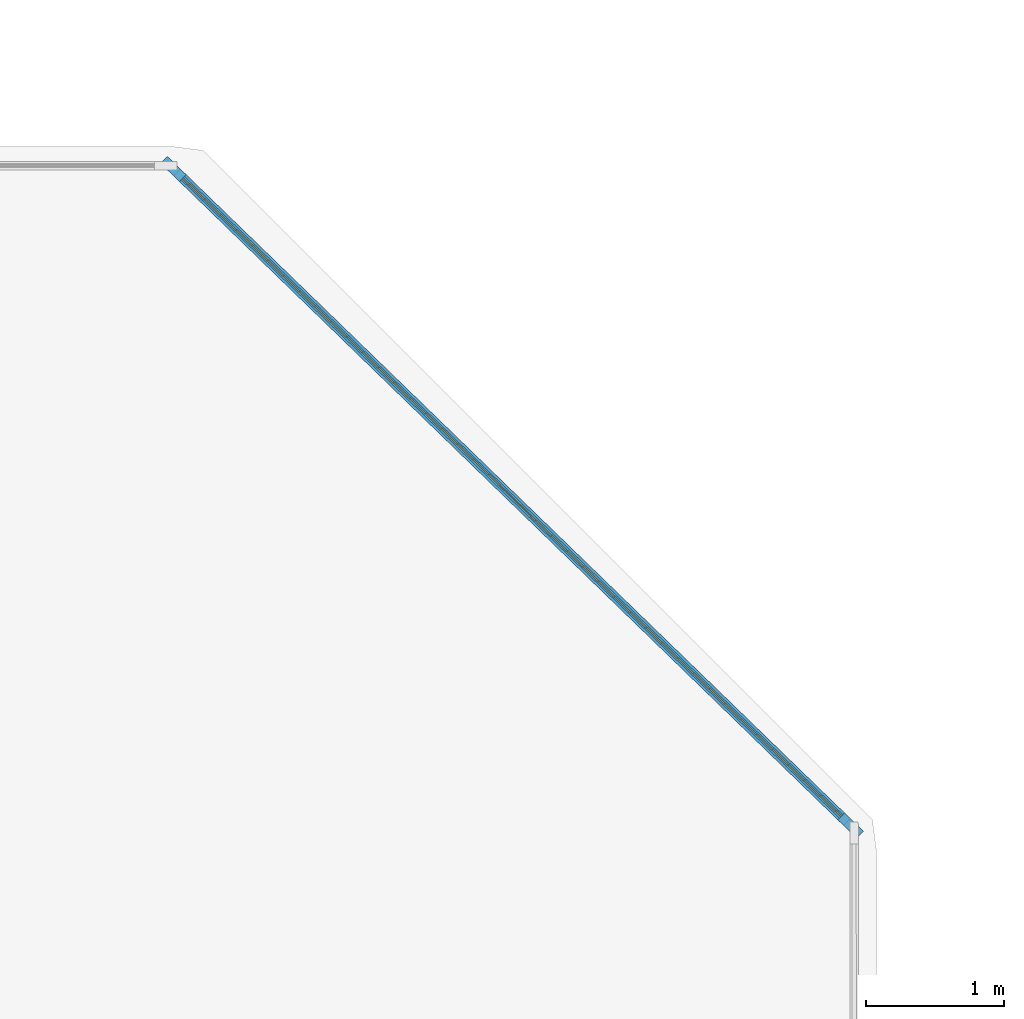
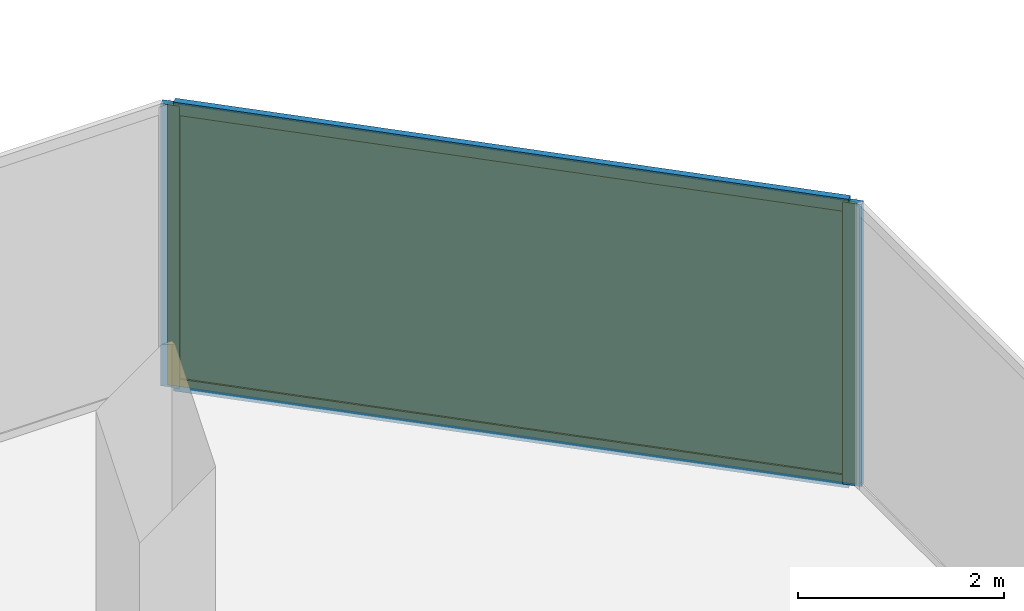
# One storey, part 11 of 14: 4 members, 1 curtain wall, 1 plate.
"""IFC4 building model written with IfcOpenShell, lengths in metres."""

import ifcopenshell
import ifcopenshell.guid

model = None  # the IFC model being written
_history = None  # IfcOwnerHistory: only IFC2X3 demands one
_inside = {}  # id of a spatial element -> (the spatial element, [elements in it])
_under = {}  # id of a project, library or spatial element -> (it, [spatial elements below it])
_declared = {}  # id of a project -> (the project, [libraries it declares])
_typed = {}  # id of a type object -> (the type object, [elements of that type])
_made_of = {}  # id of a material, layer set ... -> (it, [elements and type objects made of it])


def new_model(schema):
    """Start an empty IFC model of exactly this schema.

    Asked for "IFC4X3", IfcOpenShell would pick the latest addendum, in which some entities
    have other attributes; the version numbers below select the first issue.
    IFC2X3 requires an IfcOwnerHistory on every rooted entity: one is made here for all.
    """
    global model, _history
    if schema == "IFC4X3":
        model = ifcopenshell.file(schema_version=(4, 3, 0, 0))
    else:
        model = ifcopenshell.file(schema=schema)
    _inside.clear()
    _under.clear()
    _declared.clear()
    _typed.clear()
    _made_of.clear()
    _history = None
    if model.schema == "IFC2X3":
        org = make("IfcOrganization", Name="unknown")
        user = make(
            "IfcPersonAndOrganization",
            ThePerson=make("IfcPerson", FamilyName="unknown"),
            TheOrganization=org,
        )
        app = make(
            "IfcApplication",
            ApplicationDeveloper=org,
            Version="unknown",
            ApplicationFullName="unknown",
            ApplicationIdentifier="unknown",
        )
        _history = make(
            "IfcOwnerHistory",
            OwningUser=user,
            OwningApplication=app,
            ChangeAction="ADDED",
            CreationDate=0,
        )
    return model


def make(cls, **values):
    """One entity of the class cls with the attributes given. An attribute that is None is left unset."""
    return model.create_entity(
        cls, **{name: value for name, value in values.items() if value is not None}
    )


def rooted(cls, **values):
    """An entity with a GlobalId (a new one), such as an element, a storey or a relation."""
    return make(cls, GlobalId=ifcopenshell.guid.new(), OwnerHistory=_history, **values)


def si_unit(unit_type, name, prefix=None):
    """IfcSIUnit, for example si_unit("LENGTHUNIT", "METRE", prefix="MILLI")."""
    return make("IfcSIUnit", UnitType=unit_type, Prefix=prefix, Name=name)


def assignment(units):
    """IfcUnitAssignment: the units of a project."""
    return None if units is None else make("IfcUnitAssignment", Units=units)


def point(xyz):
    """IfcCartesianPoint."""
    return None if xyz is None else make("IfcCartesianPoint", Coordinates=xyz)


def direction(xyz):
    """IfcDirection."""
    return None if xyz is None else make("IfcDirection", DirectionRatios=xyz)


def frame(location, z_axis=None, x_axis=None):
    """IfcAxis2Placement3D, a coordinate frame: its origin and axes. An axis left out is left unset."""
    return make(
        "IfcAxis2Placement3D",
        Location=point(location),
        Axis=direction(z_axis),
        RefDirection=direction(x_axis),
    )


def frame_2d(location, x_axis=None):
    """IfcAxis2Placement2D, a coordinate frame in the plane: its origin and x axis."""
    return make(
        "IfcAxis2Placement2D", Location=point(location), RefDirection=direction(x_axis)
    )


def origin():
    """The frame at (0, 0, 0) with its axes left unset."""
    return frame((0.0, 0.0, 0.0))


def origin_2d():
    """The frame at (0, 0) in the plane with its x axis left unset."""
    return frame_2d((0.0, 0.0))


def place(relative_to, where):
    """IfcLocalPlacement: puts the frame where relative to a parent placement (None: the world)."""
    return make(
        "IfcLocalPlacement", PlacementRelTo=relative_to, RelativePlacement=where
    )


def context(
    kind, dimensions, precision=None, world=None, true_north=None, identifier=None
):
    """IfcGeometricRepresentationContext, for example the 3D "Model" context."""
    return make(
        "IfcGeometricRepresentationContext",
        ContextIdentifier=identifier,
        ContextType=kind,
        CoordinateSpaceDimension=dimensions,
        Precision=precision,
        WorldCoordinateSystem=world,
        TrueNorth=true_north,
    )


def subcontext(parent, identifier, kind, view, scale=None):
    """IfcGeometricRepresentationSubContext, for example "Body" below "Model"."""
    return make(
        "IfcGeometricRepresentationSubContext",
        ContextIdentifier=identifier,
        ContextType=kind,
        ParentContext=parent,
        TargetScale=scale,
        TargetView=view,
    )


def project(units=None, contexts=None):
    """IfcProject with its units and contexts."""
    return rooted(
        "IfcProject",
        Name="project",
        RepresentationContexts=contexts,
        UnitsInContext=assignment(units),
    )


def spatial(cls, under=None, at=None, **own):
    """A site, building, storey or space (cls), placed at a placement, below another one or the project."""
    s = rooted(cls, ObjectPlacement=at, **own)
    if under is not None:
        _under.setdefault(under.id(), (under, []))[1].append(s)
    return s


def profile(cls, at=None, kind="AREA", **sizes):
    """A parametric profile (cls). Its sizes go by their IFC names, for example OverallWidth=200.0."""
    return make(cls, ProfileType=kind, Position=at, **sizes)


def rectangle(**sizes):
    """IfcRectangleProfileDef."""
    return profile("IfcRectangleProfileDef", **sizes)


def extrude(swept, where, along, depth):
    """IfcExtrudedAreaSolid: the profile swept, set in the frame where, extruded along a direction by depth."""
    return make(
        "IfcExtrudedAreaSolid",
        SweptArea=swept,
        Position=where,
        ExtrudedDirection=direction(along),
        Depth=depth,
    )


def shape(context_of_items, identifier, shape_type, items):
    """IfcShapeRepresentation: the items that make up one representation, for example the "Body"."""
    return make(
        "IfcShapeRepresentation",
        ContextOfItems=context_of_items,
        RepresentationIdentifier=identifier,
        RepresentationType=shape_type,
        Items=items,
    )


def material(Name=None, Category=None):
    """IfcMaterial."""
    return make("IfcMaterial", Name=Name, Category=Category)


def layer(
    of_material, thickness, ventilated=None, Name=None, Category=None, Priority=None
):
    """IfcMaterialLayer: one layer of a wall or slab, of a material (None: an air gap)."""
    return make(
        "IfcMaterialLayer",
        Material=of_material,
        LayerThickness=thickness,
        IsVentilated=ventilated,
        Name=Name,
        Category=Category,
        Priority=Priority,
    )


def layer_set(layers, Name=None):
    """IfcMaterialLayerSet."""
    return make("IfcMaterialLayerSet", MaterialLayers=layers, LayerSetName=Name)


def material_profile(
    of_material, cross_section, Name=None, Category=None, Priority=None
):
    """IfcMaterialProfile: a cross section and its material."""
    return make(
        "IfcMaterialProfile",
        Name=Name,
        Material=of_material,
        Profile=cross_section,
        Priority=Priority,
        Category=Category,
    )


def profile_set(profiles, Name=None, composite=None):
    """IfcMaterialProfileSet."""
    return make(
        "IfcMaterialProfileSet",
        Name=Name,
        MaterialProfiles=profiles,
        CompositeProfile=composite,
    )


def made_of(thing, what):
    """Note that an element or type object is made of a material, layer set ...; save() writes the relation."""
    if what is not None:
        _made_of.setdefault(what.id(), (what, []))[1].append(thing)
    return thing


def type_object(cls, material=None, **own):
    """A type object (cls), such as IfcWallType, which elements share."""
    return made_of(rooted(cls, **own), material)


def element(
    cls,
    number,
    at=None,
    inside=None,
    cuts=None,
    type_object=None,
    material=None,
    context=None,
    identifier="Body",
    shape_type=None,
    held_by="IfcProductDefinitionShape",
    body=None,
    shapes=None,
    **own,
):
    """One element of the class cls, such as IfcWall. Its Tag is "e" and its number.

    at: its placement. inside: the storey or other place that contains it. cuts: it is an
    opening in that element (IfcRelVoidsElement). A single representation is given by context,
    identifier, shape_type and body (its items); several are given by shapes. held_by: the class
    of the entity that holds the representations. save() writes the other relations.
    """
    e = rooted(cls, Tag="e%d" % number, ObjectPlacement=at, **own)
    if body is not None:
        shapes = [shape(context, identifier, shape_type, body)]
    if shapes is not None:
        e.Representation = make(held_by, Representations=shapes)
    if inside is not None:
        _inside.setdefault(inside.id(), (inside, []))[1].append(e)
    if cuts is not None:
        rooted(
            "IfcRelVoidsElement", RelatingBuildingElement=cuts, RelatedOpeningElement=e
        )
    if type_object is not None:
        _typed.setdefault(type_object.id(), (type_object, []))[1].append(e)
    return made_of(e, material)


def aggregate(whole, parts):
    """IfcRelAggregates: a whole, such as a stair, and the parts it consists of."""
    return rooted("IfcRelAggregates", RelatingObject=whole, RelatedObjects=parts)


def save(model, path):
    """Write the relations noted so far, then the file.

    IfcRelAggregates (storeys below a building ...), IfcRelContainedInSpatialStructure (elements
    in a storey), IfcRelDefinesByType, IfcRelAssociatesMaterial and IfcRelDeclares: one each for
    every whole, place, type object, material and project.
    """
    for whole, parts in _under.values():
        aggregate(whole, parts)
    for where, things in _inside.values():
        rooted(
            "IfcRelContainedInSpatialStructure",
            RelatedElements=things,
            RelatingStructure=where,
        )
    for kind, things in _typed.values():
        rooted("IfcRelDefinesByType", RelatedObjects=things, RelatingType=kind)
    for what, things in _made_of.values():
        rooted("IfcRelAssociatesMaterial", RelatedObjects=things, RelatingMaterial=what)
    for by, libraries in _declared.values():
        rooted("IfcRelDeclares", RelatingContext=by, RelatedDefinitions=libraries)
    model.write(path)


model = new_model("IFC4")

# Units and contexts
model_context = context("Model", 3, precision=1e-05, world=origin(), true_north=direction((0.0, 1.0)))
body_context = subcontext(model_context, "Body", "Model", "MODEL_VIEW")
ifc_project = project(units=[si_unit("LENGTHUNIT", "METRE"), si_unit("AREAUNIT", "SQUARE_METRE"), si_unit("VOLUMEUNIT", "CUBIC_METRE"), si_unit("PLANEANGLEUNIT", "RADIAN"), si_unit("MASSUNIT", "GRAM", prefix="KILO")], contexts=[model_context])

# Member
ifc_material_1 = material(Name="Anodised Bronze Aluminium 6063-T6", Category="aluminium")
ifc_material_profile_1 = material_profile(ifc_material_1, rectangle(XDim=0.070068359375, YDim=0.18994140625, at=origin_2d()))
ifc_profile_set_1 = profile_set([ifc_material_profile_1], Name="Anodised Bronze Aluminium 6063-T6")
member_type_1 = type_object("IfcMemberType", Name="CW-SLC Mullion 70x190", PredefinedType="MULLION", material=ifc_profile_set_1)
site_placement = place(None, origin())
building_placement = place(site_placement, origin())
storey_placement = place(building_placement, frame((0.0, 0.0, 240.39990234375)))
member_1_placement = place(storey_placement, frame((17.015869140625, 24.835693359375, 0.0), z_axis=(0.0, 0.0, 1.0), x_axis=(0.696047667506, 0.717995574192, 0.0)))
member_1 = element("IfcMember", 1, at=member_1_placement, type_object=member_type_1, Name="CW-SLC mullion 1", PredefinedType="MULLION", context=body_context, shape_type="SweptSolid", body=[
    extrude(rectangle(XDim=0.070068359375, YDim=0.18994140625, at=origin_2d()), origin(), (0.0, 0.0, 1.0), 3.340087890625),
])

member_2_placement = place(storey_placement, frame((21.911865234375, 20.08935546875, 0.0), z_axis=(0.0, 0.0, 1.0), x_axis=(0.696047667506, 0.717995574192, 0.0)))
member_2 = element("IfcMember", 2, at=member_2_placement, type_object=member_type_1, Name="CW-SLC mullion 2", PredefinedType="MULLION", context=body_context, shape_type="SweptSolid", body=[
    extrude(rectangle(XDim=0.070068359375, YDim=0.18994140625, at=origin_2d()), origin(), (0.0, 0.0, 1.0), 3.340087890625),
])

ifc_material_2 = material(Name="Anodised Bronze Aluminium 6063-T6", Category="aluminium")
ifc_material_profile_2 = material_profile(ifc_material_2, rectangle(XDim=0.070068359375, YDim=0.14990234375, at=origin_2d()))
ifc_profile_set_2 = profile_set([ifc_material_profile_2], Name="Anodised Bronze Aluminium 6063-T6")
member_type_2 = type_object("IfcMemberType", Name="CW-SLC Transom 70x150", PredefinedType="USERDEFINED", material=ifc_profile_set_2)
member_3_placement = place(storey_placement, frame((17.041015625, 24.811279296875, 0.03515625), z_axis=(0.717982563293, -0.696061088416, 0.0), x_axis=(0.696061088416, 0.717982563293, 0.0)))
member_3 = element("IfcMember", 3, at=member_3_placement, type_object=member_type_2, Name="CW-SLC transom 1.1", ObjectType="TRANSOM", PredefinedType="USERDEFINED", context=body_context, shape_type="SweptSolid", body=[
    extrude(rectangle(XDim=0.070068359375, YDim=0.14990234375, at=origin_2d()), origin(), (0.0, 0.0, 1.0), 6.7490234375),
])

member_4_placement = place(storey_placement, frame((17.041015625, 24.811279296875, 3.30517578125), z_axis=(0.717982563293, -0.696061088416, 0.0), x_axis=(0.696061088416, 0.717982563293, 0.0)))
member_4 = element("IfcMember", 4, at=member_4_placement, type_object=member_type_2, Name="CW-SLC transom 1.2", ObjectType="TRANSOM", PredefinedType="USERDEFINED", context=body_context, shape_type="SweptSolid", body=[
    extrude(rectangle(XDim=0.070068359375, YDim=0.14990234375, at=origin_2d()), origin(), (0.0, 0.0, 1.0), 6.7490234375),
])

# Plate
ifc_material_3 = material(Name="Low-E Solar Control Laminated Glass", Category="glass")
ifc_layer_1 = layer(ifc_material_3, 0.033935546875, Name="Low-E Solar Control Laminated Glass")
ifc_layer_set_1 = layer_set([ifc_layer_1], Name="Low-E Solar Control Laminated Glass")
plate_type = type_object("IfcPlateType", Name="CW-SLC Low-E Double Glazed Panel 34mm", PredefinedType="CURTAIN_PANEL", material=ifc_layer_set_1)
plate_placement = place(storey_placement, frame((19.4638671875, 22.46240234375, 0.0703125), z_axis=(0.0, 0.0, 1.0), x_axis=(0.717995574192, -0.696047667506, 0.0)))
plate = element("IfcPlate", 5, at=plate_placement, type_object=plate_type, Name="CW-SLC panel 1.1", PredefinedType="CURTAIN_PANEL", context=body_context, shape_type="SweptSolid", body=[
    extrude(rectangle(XDim=6.7490234375, YDim=0.033935546875, at=origin_2d()), origin(), (0.0, 0.0, 1.0), 3.199951171875),
])

# Site, building, storey
site = spatial("IfcSite", under=ifc_project, at=site_placement, CompositionType="ELEMENT")
building = spatial("IfcBuilding", under=site, at=building_placement, Name="Khairoan Windgate Tower", CompositionType="ELEMENT")
storey = spatial("IfcBuildingStorey", under=building, at=storey_placement, Name="L56", CompositionType="ELEMENT", Elevation=240.39990234375)

# Curtain wall
ifc_material_4 = material(Name="Anodised Bronze Aluminium 6063-T6", Category="aluminium")
ifc_layer_2 = layer(ifc_material_4, 0.18994140625, Name="Anodised Bronze Aluminium 6063-T6")
ifc_layer_set_2 = layer_set([ifc_layer_2], Name="Anodised Bronze Aluminium 6063-T6")
curtain_wall_type = type_object("IfcCurtainWallType", Name="Diagonal Corner-Slice Facet Curtain Wall CW-SLC", PredefinedType="NOTDEFINED", material=ifc_layer_set_2)
curtain_wall_placement = place(storey_placement, frame((16.99072265625, 24.860107421875, 0.0), z_axis=(0.0, 0.0, 1.0), x_axis=(0.717990015957, -0.696053400958, 0.0)))
curtain_wall = element("IfcCurtainWall", 6, at=curtain_wall_placement, inside=storey, type_object=curtain_wall_type, Name="L56 Crystal Slice Curtain Wall 10", PredefinedType="NOTDEFINED", context=body_context, shape_type="SweptSolid", body=[
    extrude(rectangle(XDim=6.88916015625, YDim=0.010009765625, at=frame_2d((3.444580078125, 0.0))), origin(), (0.0, 0.0, 1.0), 3.340087890625),
])

aggregate(curtain_wall, [member_1, member_2, member_3, member_4, plate])

save(model, "model.ifc")
